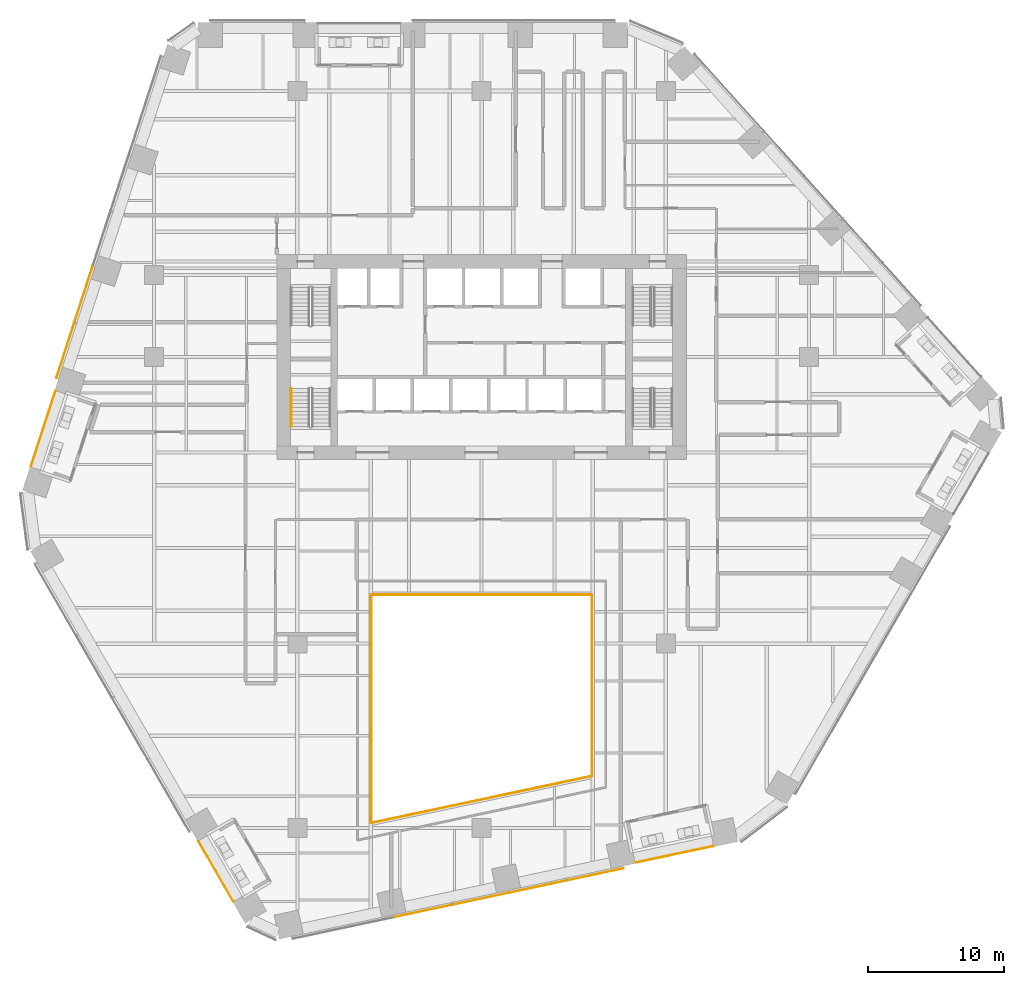
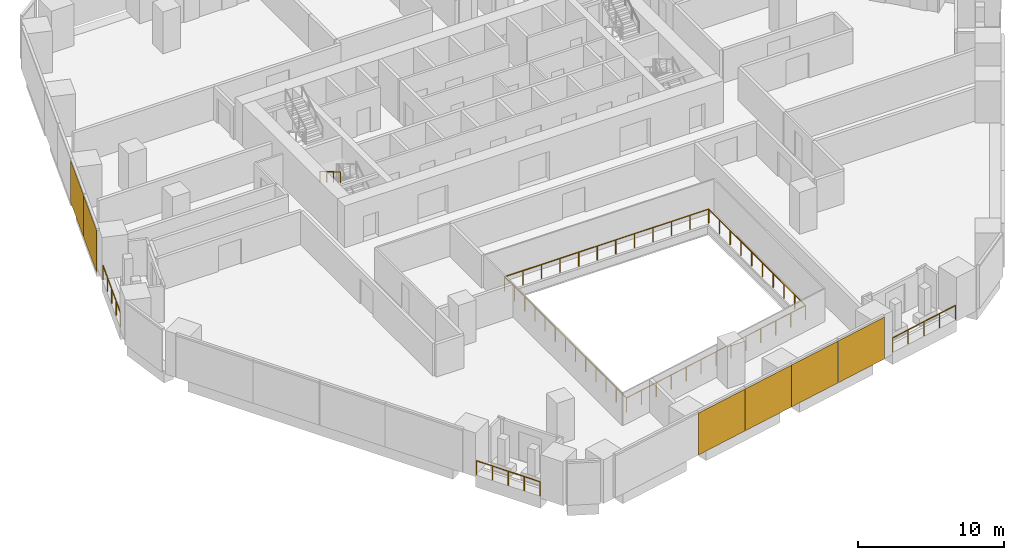
# One storey, part 27 of 31: 8 railings, 6 coverings, 2 elements without a shape of their own.
"""IFC4 building model written with IfcOpenShell, lengths in metres."""

from ifc_helpers import new_model, si_unit, direction, frame, origin, origin_2d, place, context, subcontext, project, spatial, rectangle, circle, extrude, material, layer, layer_set, type_object, element, aggregate, save


model = new_model("IFC4")

# Units and contexts
model_context = context("Model", 3, precision=1e-05, world=origin(), true_north=direction((0.0, 1.0)))
body_context = subcontext(model_context, "Body", "Model", "MODEL_VIEW")
ifc_project = project(units=[si_unit("LENGTHUNIT", "METRE"), si_unit("AREAUNIT", "SQUARE_METRE"), si_unit("VOLUMEUNIT", "CUBIC_METRE"), si_unit("PLANEANGLEUNIT", "RADIAN"), si_unit("MASSUNIT", "GRAM", prefix="KILO")], contexts=[model_context])

# Site, building, storey
site_placement = place(None, origin())
site = spatial("IfcSite", under=ifc_project, at=site_placement, CompositionType="ELEMENT")
building_placement = place(site_placement, origin())
building = spatial("IfcBuilding", under=site, at=building_placement, Name="Isthmus Gate Tower", CompositionType="ELEMENT")
storey_placement = place(building_placement, frame((0.0, 0.0, 54.25)))
storey = spatial("IfcBuildingStorey", under=building, at=storey_placement, Name="L11", CompositionType="ELEMENT", Elevation=54.25)

# Railings
ifc_material_1 = material(Name="Laminated toughened glass balustrade with steel rail", Category="steel")
railing_type_1 = type_object("IfcRailingType", Name="ATRIUM GUARD GLASS BALUSTRADE 1200", PredefinedType="GUARDRAIL", material=ifc_material_1)
railing_1_placement = place(storey_placement, frame((-8.080078125, -26.642822265625, 0.0)))
element("IfcRailing", 1, at=railing_1_placement, inside=storey, type_object=railing_type_1, Name="L11 atrium guard", PredefinedType="GUARDRAIL", context=body_context, shape_type="SweptSolid", body=[
    extrude(circle(Radius=0.02490234375, at=origin_2d()), frame((0.0, 0.0, 1.1748046875), z_axis=(0.0, 1.0, 0.0), x_axis=(-1.0, 0.0, 0.0)), (0.0, 0.0, 1.0), 16.722900390625),
    extrude(circle(Radius=0.02490234375, at=origin_2d()), origin(), (0.0, 0.0, 1.0), 1.14990234375),
    extrude(circle(Radius=0.02490234375, at=origin_2d()), frame((0.0, 1.3935546875, 0.0)), (0.0, 0.0, 1.0), 1.14990234375),
    extrude(circle(Radius=0.02490234375, at=origin_2d()), frame((0.0, 2.787109375, 0.0)), (0.0, 0.0, 1.0), 1.14990234375),
    extrude(circle(Radius=0.02490234375, at=origin_2d()), frame((0.0, 4.1806640625, 0.0)), (0.0, 0.0, 1.0), 1.14990234375),
    extrude(circle(Radius=0.02490234375, at=origin_2d()), frame((0.0, 5.57421875, 0.0)), (0.0, 0.0, 1.0), 1.14990234375),
    extrude(circle(Radius=0.02490234375, at=origin_2d()), frame((0.0, 6.9677734375, 0.0)), (0.0, 0.0, 1.0), 1.14990234375),
    extrude(circle(Radius=0.02490234375, at=origin_2d()), frame((0.0, 8.361328125, 0.0)), (0.0, 0.0, 1.0), 1.14990234375),
    extrude(circle(Radius=0.02490234375, at=origin_2d()), frame((0.0, 9.755126953125, 0.0)), (0.0, 0.0, 1.0), 1.14990234375),
    extrude(circle(Radius=0.02490234375, at=origin_2d()), frame((0.0, 11.148681640625, 0.0)), (0.0, 0.0, 1.0), 1.14990234375),
    extrude(circle(Radius=0.02490234375, at=origin_2d()), frame((0.0, 12.542236328125, 0.0)), (0.0, 0.0, 1.0), 1.14990234375),
    extrude(circle(Radius=0.02490234375, at=origin_2d()), frame((0.0, 13.935791015625, 0.0)), (0.0, 0.0, 1.0), 1.14990234375),
    extrude(circle(Radius=0.02490234375, at=origin_2d()), frame((0.0, 15.329345703125, 0.0)), (0.0, 0.0, 1.0), 1.14990234375),
    extrude(circle(Radius=0.02490234375, at=origin_2d()), frame((0.0, 16.722900390625, 0.0)), (0.0, 0.0, 1.0), 1.14990234375),
])
railing_2_placement = place(storey_placement, frame((-8.080078125, -9.919921875, 0.0)))
element("IfcRailing", 2, at=railing_2_placement, inside=storey, type_object=railing_type_1, Name="L11 atrium guard", PredefinedType="GUARDRAIL", context=body_context, shape_type="SweptSolid", body=[
    extrude(circle(Radius=0.02490234375, at=origin_2d()), frame((0.0, 0.0, 1.1748046875), z_axis=(1.0, 0.0, 0.0), x_axis=(0.0, 1.0, 0.0)), (0.0, 0.0, 1.0), 16.16015625),
    extrude(circle(Radius=0.02490234375, at=origin_2d()), origin(), (0.0, 0.0, 1.0), 1.14990234375),
    extrude(circle(Radius=0.02490234375, at=origin_2d()), frame((1.468994140625, 0.0, 0.0)), (0.0, 0.0, 1.0), 1.14990234375),
    extrude(circle(Radius=0.02490234375, at=origin_2d()), frame((2.938232421875, 0.0, 0.0)), (0.0, 0.0, 1.0), 1.14990234375),
    extrude(circle(Radius=0.02490234375, at=origin_2d()), frame((4.4072265625, 0.0, 0.0)), (0.0, 0.0, 1.0), 1.14990234375),
    extrude(circle(Radius=0.02490234375, at=origin_2d()), frame((5.87646484375, 0.0, 0.0)), (0.0, 0.0, 1.0), 1.14990234375),
    extrude(circle(Radius=0.02490234375, at=origin_2d()), frame((7.345458984375, 0.0, 0.0)), (0.0, 0.0, 1.0), 1.14990234375),
    extrude(circle(Radius=0.02490234375, at=origin_2d()), frame((8.814697265625, 0.0, 0.0)), (0.0, 0.0, 1.0), 1.14990234375),
    extrude(circle(Radius=0.02490234375, at=origin_2d()), frame((10.28369140625, 0.0, 0.0)), (0.0, 0.0, 1.0), 1.14990234375),
    extrude(circle(Radius=0.02490234375, at=origin_2d()), frame((11.7529296875, 0.0, 0.0)), (0.0, 0.0, 1.0), 1.14990234375),
    extrude(circle(Radius=0.02490234375, at=origin_2d()), frame((13.221923828125, 0.0, 0.0)), (0.0, 0.0, 1.0), 1.14990234375),
    extrude(circle(Radius=0.02490234375, at=origin_2d()), frame((14.691162109375, 0.0, 0.0)), (0.0, 0.0, 1.0), 1.14990234375),
    extrude(circle(Radius=0.02490234375, at=origin_2d()), frame((16.16015625, 0.0, 0.0)), (0.0, 0.0, 1.0), 1.14990234375),
])
railing_3_placement = place(storey_placement, frame((8.080078125, -9.919921875, 0.0)))
element("IfcRailing", 3, at=railing_3_placement, inside=storey, type_object=railing_type_1, Name="L11 atrium guard", PredefinedType="GUARDRAIL", context=body_context, shape_type="SweptSolid", body=[
    extrude(circle(Radius=0.02490234375, at=origin_2d()), frame((0.0, 0.0, 1.1748046875), z_axis=(0.0, -1.0, 0.0), x_axis=(1.0, 0.0, 0.0)), (0.0, 0.0, 1.0), 13.2880859375),
    extrude(circle(Radius=0.02490234375, at=origin_2d()), origin(), (0.0, 0.0, 1.0), 1.14990234375),
    extrude(circle(Radius=0.02490234375, at=origin_2d()), frame((0.0, -1.4765625, 0.0)), (0.0, 0.0, 1.0), 1.14990234375),
    extrude(circle(Radius=0.02490234375, at=origin_2d()), frame((0.0, -2.952880859375, 0.0)), (0.0, 0.0, 1.0), 1.14990234375),
    extrude(circle(Radius=0.02490234375, at=origin_2d()), frame((0.0, -4.429443359375, 0.0)), (0.0, 0.0, 1.0), 1.14990234375),
    extrude(circle(Radius=0.02490234375, at=origin_2d()), frame((0.0, -5.90576171875, 0.0)), (0.0, 0.0, 1.0), 1.14990234375),
    extrude(circle(Radius=0.02490234375, at=origin_2d()), frame((0.0, -7.38232421875, 0.0)), (0.0, 0.0, 1.0), 1.14990234375),
    extrude(circle(Radius=0.02490234375, at=origin_2d()), frame((0.0, -8.858642578125, 0.0)), (0.0, 0.0, 1.0), 1.14990234375),
    extrude(circle(Radius=0.02490234375, at=origin_2d()), frame((0.0, -10.335205078125, 0.0)), (0.0, 0.0, 1.0), 1.14990234375),
    extrude(circle(Radius=0.02490234375, at=origin_2d()), frame((0.0, -11.8115234375, 0.0)), (0.0, 0.0, 1.0), 1.14990234375),
    extrude(circle(Radius=0.02490234375, at=origin_2d()), frame((0.0, -13.2880859375, 0.0)), (0.0, 0.0, 1.0), 1.14990234375),
])
railing_4_placement = place(storey_placement, frame((8.080078125, -23.2080078125, 0.0)))
element("IfcRailing", 4, at=railing_4_placement, inside=storey, type_object=railing_type_1, Name="L11 atrium guard", PredefinedType="GUARDRAIL", context=body_context, shape_type="SweptSolid", body=[
    extrude(circle(Radius=0.02490234375, at=origin_2d()), frame((0.0, 0.0, 1.1748046875), z_axis=(-0.978149235358, -0.207904000366, 0.0), x_axis=(0.207904000366, -0.978149235358, 0.0)), (0.0, 0.0, 1.0), 16.521240234375),
    extrude(circle(Radius=0.02490234375, at=origin_2d()), origin(), (0.0, 0.0, 1.0), 1.14990234375),
    extrude(circle(Radius=0.02490234375, at=origin_2d()), frame((-1.3466796875, -0.2861328125, 0.0)), (0.0, 0.0, 1.0), 1.14990234375),
    extrude(circle(Radius=0.02490234375, at=origin_2d()), frame((-2.693359375, -0.572509765625, 0.0)), (0.0, 0.0, 1.0), 1.14990234375),
    extrude(circle(Radius=0.02490234375, at=origin_2d()), frame((-4.0400390625, -0.858642578125, 0.0)), (0.0, 0.0, 1.0), 1.14990234375),
    extrude(circle(Radius=0.02490234375, at=origin_2d()), frame((-5.38671875, -1.14501953125, 0.0)), (0.0, 0.0, 1.0), 1.14990234375),
    extrude(circle(Radius=0.02490234375, at=origin_2d()), frame((-6.7333984375, -1.43115234375, 0.0)), (0.0, 0.0, 1.0), 1.14990234375),
    extrude(circle(Radius=0.02490234375, at=origin_2d()), frame((-8.080078125, -1.71728515625, 0.0)), (0.0, 0.0, 1.0), 1.14990234375),
    extrude(circle(Radius=0.02490234375, at=origin_2d()), frame((-9.4267578125, -2.003662109375, 0.0)), (0.0, 0.0, 1.0), 1.14990234375),
    extrude(circle(Radius=0.02490234375, at=origin_2d()), frame((-10.7734375, -2.289794921875, 0.0)), (0.0, 0.0, 1.0), 1.14990234375),
    extrude(circle(Radius=0.02490234375, at=origin_2d()), frame((-12.1201171875, -2.576171875, 0.0)), (0.0, 0.0, 1.0), 1.14990234375),
    extrude(circle(Radius=0.02490234375, at=origin_2d()), frame((-13.466796875, -2.8623046875, 0.0)), (0.0, 0.0, 1.0), 1.14990234375),
    extrude(circle(Radius=0.02490234375, at=origin_2d()), frame((-14.8134765625, -3.148681640625, 0.0)), (0.0, 0.0, 1.0), 1.14990234375),
    extrude(circle(Radius=0.02490234375, at=origin_2d()), frame((-16.16015625, -3.434814453125, 0.0)), (0.0, 0.0, 1.0), 1.14990234375),
])

# Curtain wall, coverings
ifc_material_2 = material(Name="Aluminium, pale champagne anodised", Category="aluminium")
ifc_layer_1 = layer(ifc_material_2, 0.199951171875)
ifc_layer_set_1 = layer_set([ifc_layer_1], Name="CW-1 UNITISED CURTAIN WALL 200 DEEP")
curtain_wall_type = type_object("IfcCurtainWallType", Name="CW-1 UNITISED CURTAIN WALL 200 DEEP", PredefinedType="NOTDEFINED", material=ifc_layer_set_1)
curtain_wall_1_placement = place(storey_placement, origin())
curtain_wall_1 = element("IfcCurtainWall", 5, at=curtain_wall_1_placement, inside=storey, type_object=curtain_wall_type, Name="CW-1 NW L11", PredefinedType="NOTDEFINED")
ifc_material_3 = material(Name="Aluminium composite panel, pale champagne anodised", Category="aluminium")
ifc_layer_2 = layer(ifc_material_3, 0.0400390625)
ifc_layer_set_2 = layer_set([ifc_layer_2], Name="CW-1 PALE METAL PANEL 40")
covering_type = type_object("IfcCoveringType", Name="CW-1 PALE METAL PANEL 40", PredefinedType="CLADDING", material=ifc_layer_set_2)
covering_1_placement = place(storey_placement, frame((-29.17236328125, 12.09033203125, 0.0), z_axis=(0.0, 0.0, 1.0), x_axis=(-0.309016994375, -0.951056516295, 0.0)))
covering_1 = element("IfcCovering", 6, at=covering_1_placement, type_object=covering_type, Name="CW-1 pale metal panel", PredefinedType="CLADDING", context=body_context, shape_type="SweptSolid", body=[
    extrude(rectangle(XDim=4.294677734375, YDim=0.0400390625, at=origin_2d()), origin(), (0.0, 0.0, 1.0), 3.5),
])
covering_2_placement = place(storey_placement, frame((-30.5087890625, 7.9775390625, 0.0), z_axis=(0.0, 0.0, 1.0), x_axis=(-0.309016994375, -0.951056516295, 0.0)))
covering_2 = element("IfcCovering", 7, at=covering_2_placement, type_object=covering_type, Name="CW-1 pale metal panel", PredefinedType="CLADDING", context=body_context, shape_type="SweptSolid", body=[
    extrude(rectangle(XDim=4.234619140625, YDim=0.0400390625, at=origin_2d()), origin(), (0.0, 0.0, 1.0), 3.5),
])
aggregate(curtain_wall_1, [covering_1, covering_2])

curtain_wall_2_placement = place(storey_placement, origin())
curtain_wall_2 = element("IfcCurtainWall", 8, at=curtain_wall_2_placement, inside=storey, type_object=curtain_wall_type, Name="CW-1 S L11", PredefinedType="NOTDEFINED")
covering_3_placement = place(storey_placement, frame((-4.2861328125, -33.094970703125, 0.0), z_axis=(0.0, 0.0, 1.0), x_axis=(0.978147600734, 0.207911690818, 0.0)))
covering_3 = element("IfcCovering", 9, at=covering_3_placement, type_object=covering_type, Name="CW-1 pale metal panel", PredefinedType="CLADDING", context=body_context, shape_type="SweptSolid", body=[
    extrude(rectangle(XDim=4.294677734375, YDim=0.0400390625, at=origin_2d()), origin(), (0.0, 0.0, 1.0), 3.5),
])
covering_4_placement = place(storey_placement, frame((-0.055908203125, -32.19580078125, 0.0), z_axis=(0.0, 0.0, 1.0), x_axis=(0.978147600734, 0.207911690818, 0.0)))
covering_4 = element("IfcCovering", 10, at=covering_4_placement, type_object=covering_type, Name="CW-1 pale metal panel", PredefinedType="CLADDING", context=body_context, shape_type="SweptSolid", body=[
    extrude(rectangle(XDim=4.234619140625, YDim=0.0400390625, at=origin_2d()), origin(), (0.0, 0.0, 1.0), 3.5),
])
covering_5_placement = place(storey_placement, frame((4.115478515625, -31.309326171875, 0.0), z_axis=(0.0, 0.0, 1.0), x_axis=(0.978147600734, 0.207911690818, 0.0)))
covering_5 = element("IfcCovering", 11, at=covering_5_placement, type_object=covering_type, Name="CW-1 pale metal panel", PredefinedType="CLADDING", context=body_context, shape_type="SweptSolid", body=[
    extrude(rectangle(XDim=4.294677734375, YDim=0.0400390625, at=origin_2d()), origin(), (0.0, 0.0, 1.0), 3.5),
])
covering_6_placement = place(storey_placement, frame((8.345703125, -30.41015625, 0.0), z_axis=(0.0, 0.0, 1.0), x_axis=(0.978147600734, 0.207911690818, 0.0)))
covering_6 = element("IfcCovering", 12, at=covering_6_placement, type_object=covering_type, Name="CW-1 pale metal panel", PredefinedType="CLADDING", context=body_context, shape_type="SweptSolid", body=[
    extrude(rectangle(XDim=4.234619140625, YDim=0.0400390625, at=origin_2d()), origin(), (0.0, 0.0, 1.0), 3.5),
])
aggregate(curtain_wall_2, [covering_3, covering_4, covering_5, covering_6])

# Railings
ifc_material_4 = material(Name="Toughened laminated glass with stainless steel posts", Category="steel")
railing_type_2 = type_object("IfcRailingType", Name="GUARD 1200 FRAMELESS GLASS", PredefinedType="GUARDRAIL", material=ifc_material_4)
railing_5_placement = place(storey_placement, frame((-31.23486328125, 4.99853515625, 0.0)))
element("IfcRailing", 13, at=railing_5_placement, inside=storey, type_object=railing_type_2, Name="LOGGIA GUARD", PredefinedType="GUARDRAIL", context=body_context, shape_type="SweptSolid", body=[
    extrude(circle(Radius=0.02490234375, at=origin_2d()), frame((0.0, 0.0, 1.1748046875), z_axis=(-0.309019551681, -0.951055685372, 0.0), x_axis=(0.951055685372, -0.309019551681, 0.0)), (0.0, 0.0, 1.0), 5.809326171875),
    extrude(circle(Radius=0.02490234375, at=origin_2d()), origin(), (0.0, 0.0, 1.0), 1.14990234375),
    extrude(circle(Radius=0.02490234375, at=origin_2d()), frame((-0.44873046875, -1.38134765625, 0.0)), (0.0, 0.0, 1.0), 1.14990234375),
    extrude(circle(Radius=0.02490234375, at=origin_2d()), frame((-0.8974609375, -2.762451171875, 0.0)), (0.0, 0.0, 1.0), 1.14990234375),
    extrude(circle(Radius=0.02490234375, at=origin_2d()), frame((-1.346435546875, -4.1435546875, 0.0)), (0.0, 0.0, 1.0), 1.14990234375),
    extrude(circle(Radius=0.02490234375, at=origin_2d()), frame((-1.795166015625, -5.52490234375, 0.0)), (0.0, 0.0, 1.0), 1.14990234375),
])
railing_6_placement = place(storey_placement, frame((-20.733154296875, -27.989013671875, 0.0)))
element("IfcRailing", 14, at=railing_6_placement, inside=storey, type_object=railing_type_2, Name="LOGGIA GUARD", PredefinedType="GUARDRAIL", context=body_context, shape_type="SweptSolid", body=[
    extrude(circle(Radius=0.02490234375, at=origin_2d()), frame((0.0, 0.0, 1.1748046875), z_axis=(0.499986781806, -0.866033035178, 0.0), x_axis=(0.866033035178, 0.499986781806, 0.0)), (0.0, 0.0, 1.0), 5.063720703125),
    extrude(circle(Radius=0.02490234375, at=origin_2d()), origin(), (0.0, 0.0, 1.0), 1.14990234375),
    extrude(circle(Radius=0.02490234375, at=origin_2d()), frame((0.6328125, -1.09619140625, 0.0)), (0.0, 0.0, 1.0), 1.14990234375),
    extrude(circle(Radius=0.02490234375, at=origin_2d()), frame((1.265869140625, -2.192626953125, 0.0)), (0.0, 0.0, 1.0), 1.14990234375),
    extrude(circle(Radius=0.02490234375, at=origin_2d()), frame((1.89892578125, -3.2890625, 0.0)), (0.0, 0.0, 1.0), 1.14990234375),
    extrude(circle(Radius=0.02490234375, at=origin_2d()), frame((2.53173828125, -4.38525390625, 0.0)), (0.0, 0.0, 1.0), 1.14990234375),
])
railing_7_placement = place(storey_placement, frame((11.288330078125, -29.549560546875, 0.0)))
element("IfcRailing", 15, at=railing_7_placement, inside=storey, type_object=railing_type_2, Name="LOGGIA GUARD", PredefinedType="GUARDRAIL", context=body_context, shape_type="SweptSolid", body=[
    extrude(circle(Radius=0.02490234375, at=origin_2d()), frame((0.0, 0.0, 1.1748046875), z_axis=(0.978143041308, 0.207933140075, 0.0), x_axis=(-0.207933140075, 0.978143041308, 0.0)), (0.0, 0.0, 1.0), 5.8095703125),
    extrude(circle(Radius=0.02490234375, at=origin_2d()), origin(), (0.0, 0.0, 1.0), 1.14990234375),
    extrude(circle(Radius=0.02490234375, at=origin_2d()), frame((1.420654296875, 0.302001953125, 0.0)), (0.0, 0.0, 1.0), 1.14990234375),
    extrude(circle(Radius=0.02490234375, at=origin_2d()), frame((2.84130859375, 0.60400390625, 0.0)), (0.0, 0.0, 1.0), 1.14990234375),
    extrude(circle(Radius=0.02490234375, at=origin_2d()), frame((4.261962890625, 0.906005859375, 0.0)), (0.0, 0.0, 1.0), 1.14990234375),
    extrude(circle(Radius=0.02490234375, at=origin_2d()), frame((5.6826171875, 1.2080078125, 0.0)), (0.0, 0.0, 1.0), 1.14990234375),
])
ifc_material_5 = material(Name="Stainless steel handrail", Category="steel")
railing_type_3 = type_object("IfcRailingType", Name="STAIR HANDRAIL 900", PredefinedType="HANDRAIL", material=ifc_material_5)
railing_8_placement = place(storey_placement, frame((-13.949951171875, 5.199951171875, 1.990966796875)))
element("IfcRailing", 16, at=railing_8_placement, inside=storey, type_object=railing_type_3, Name="L11 ST7 stair handrail 2", PredefinedType="HANDRAIL", context=body_context, shape_type="SweptSolid", body=[
    extrude(circle(Radius=0.02392578125, at=origin_2d()), frame((0.0, 0.0, 0.8759765625), z_axis=(0.0, -0.860339051648, 0.50972219513), x_axis=(1.0, 0.0, 0.0)), (0.0, 0.0, 1.0), 3.254638671875),
    extrude(circle(Radius=0.02099609375, at=origin_2d()), origin(), (0.0, 0.0, 1.0), 0.851806640625),
    extrude(circle(Radius=0.02099609375, at=origin_2d()), frame((0.0, -0.933349609375, 0.552978515625)), (0.0, 0.0, 1.0), 0.851806640625),
    extrude(circle(Radius=0.02099609375, at=origin_2d()), frame((0.0, -1.86669921875, 1.10595703125)), (0.0, 0.0, 1.0), 0.851806640625),
    extrude(circle(Radius=0.02099609375, at=origin_2d()), frame((0.0, -2.800048828125, 1.658935546875)), (0.0, 0.0, 1.0), 0.851806640625),
])

save(model, "model.ifc")
